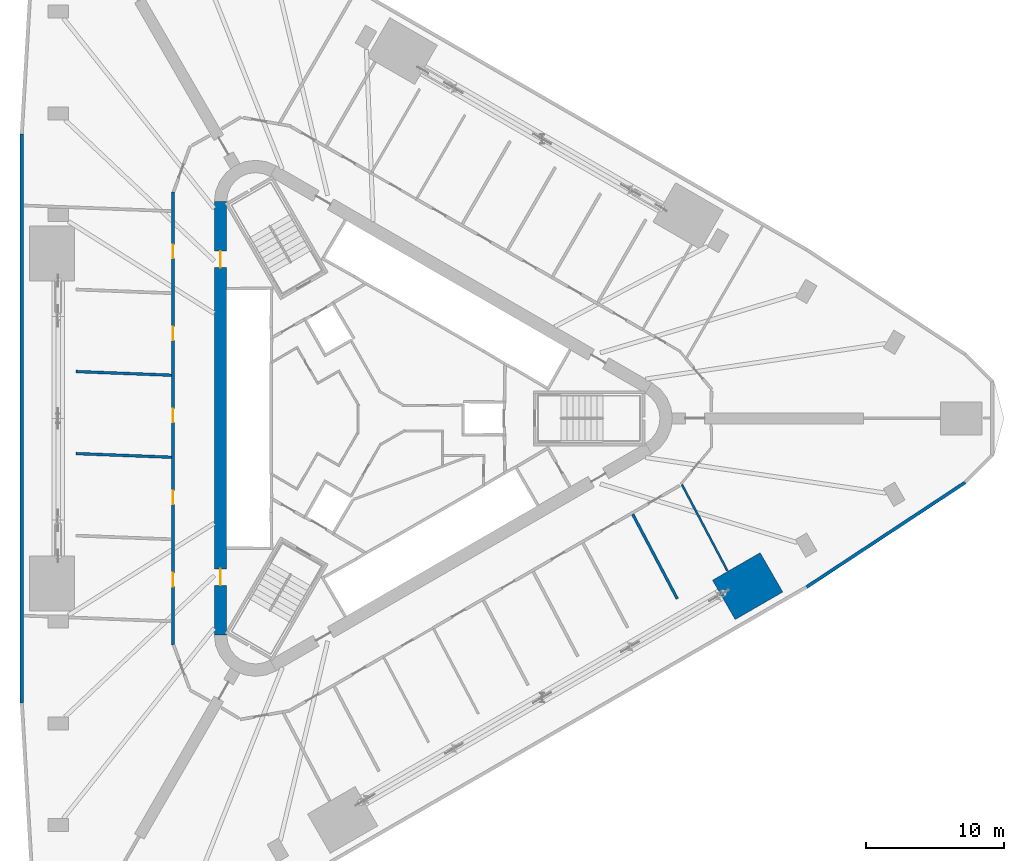
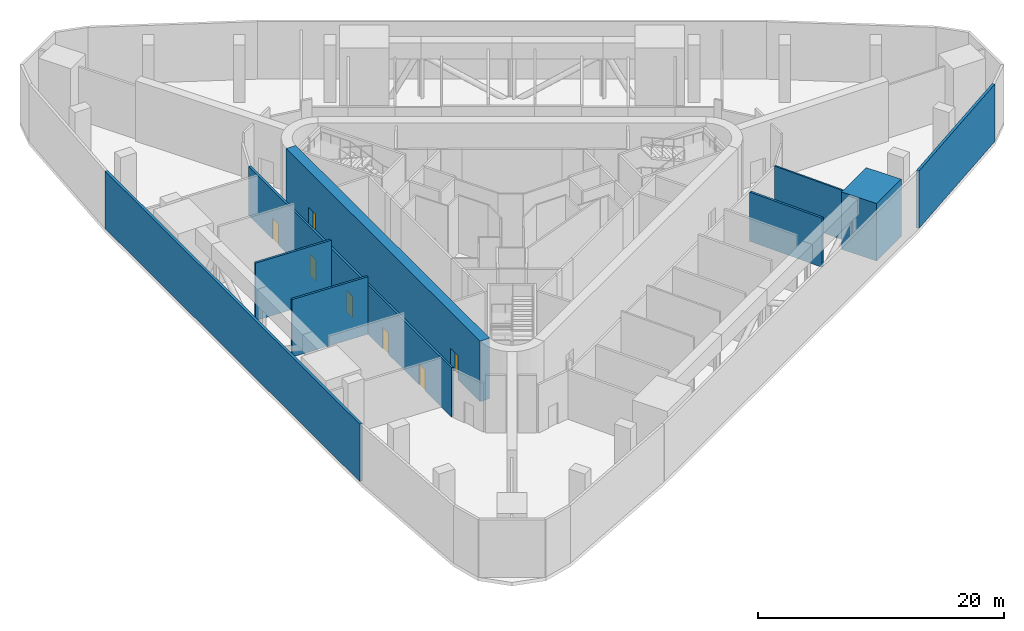
# One storey, part 7 of 14: 9 walls, 7 doors, 7 openings.
"""IFC4 building model written with IfcOpenShell, lengths in metres."""

from ifc_helpers import new_model, si_unit, direction, frame, frame_2d, origin, place, context, subcontext, project, spatial, polyline, rectangle, outline, extrude, material, layer, layer_set, type_object, element, fill, save


model = new_model("IFC4")

# Units and contexts
model_context = context("Model", 3, precision=1e-05, world=origin(), true_north=direction((0.0, 1.0)))
body_context = subcontext(model_context, "Body", "Model", "MODEL_VIEW")
ifc_project = project(units=[si_unit("LENGTHUNIT", "METRE"), si_unit("AREAUNIT", "SQUARE_METRE"), si_unit("VOLUMEUNIT", "CUBIC_METRE"), si_unit("PLANEANGLEUNIT", "RADIAN"), si_unit("MASSUNIT", "GRAM", prefix="KILO")], contexts=[model_context])

# Site, building, storey
site_placement = place(None, origin())
site = spatial("IfcSite", under=ifc_project, at=site_placement, CompositionType="ELEMENT")
building_placement = place(site_placement, origin())
building = spatial("IfcBuilding", under=site, at=building_placement, Name="Tanit Gate Tower", CompositionType="ELEMENT")
storey_placement = place(building_placement, frame((0.0, 0.0, 39.5)))
storey = spatial("IfcBuildingStorey", under=building, at=storey_placement, Name="L06", CompositionType="ELEMENT", Elevation=39.5)

# Wall, openings, doors
ifc_material_1 = material(Name="Concrete C60/75", Category="concrete")
ifc_layer_1 = layer(ifc_material_1, 0.89990234375)
ifc_layer_set_1 = layer_set([ifc_layer_1], Name="CORE WALL 900 C60/75")
wall_type_1 = type_object("IfcWallType", Name="CORE WALL 900 C60/75", PredefinedType="SHEAR", material=ifc_layer_set_1)
wall_1_placement = place(storey_placement, frame((-11.64990234375, 15.76171875, 0.0), z_axis=(0.0, 0.0, 1.0), x_axis=(0.0, -1.0, 0.0)))
wall_1 = element("IfcWall", 1, at=wall_1_placement, inside=storey, type_object=wall_type_1, Name="CORE WALL", PredefinedType="SHEAR", context=body_context, shape_type="SweptSolid", body=[
    extrude(rectangle(XDim=31.5234375, YDim=0.89990234375, at=frame_2d((15.76171875, 0.0))), origin(), (0.0, 0.0, 1.0), 6.0),
])
opening_1_placement = place(wall_1_placement, frame((3.61181640625, 0.0, 0.0)))
opening_1 = element("IfcOpeningElement", 2, at=opening_1_placement, cuts=wall_1, Name="Opening F12-06-FL2", PredefinedType="OPENING", context=body_context, shape_type="SweptSolid", body=[
    extrude(rectangle(XDim=1.199951171875, YDim=2.39990234375, at=frame_2d((0.60009765625, 1.199951171875))), frame((0.0, 0.4599609375, 0.0), z_axis=(0.0, -1.0, 0.0), x_axis=(1.0, 0.0, 0.0)), (0.0, 0.0, 1.0), 0.919921875),
])
opening_2_placement = place(wall_1_placement, frame((26.711669921875, 0.0, 0.0)))
opening_2 = element("IfcOpeningElement", 3, at=opening_2_placement, cuts=wall_1, Name="Opening F12-06-S3", PredefinedType="OPENING", context=body_context, shape_type="SweptSolid", body=[
    extrude(rectangle(XDim=1.199951171875, YDim=2.39990234375, at=frame_2d((0.60009765625, 1.199951171875))), frame((0.0, 0.4599609375, 0.0), z_axis=(0.0, -1.0, 0.0), x_axis=(1.0, 0.0, 0.0)), (0.0, 0.0, 1.0), 0.919921875),
])
ifc_material_2 = material(Name="Fire-rated steel door leaf", Category="steel")
door_type_1 = type_object("IfcDoorType", Name="INT-DOOR-FIRE-LOBBY-1200", OperationType="NOTDEFINED", PredefinedType="USERDEFINED", material=ifc_material_2)
door_1_placement = place(opening_1_placement, origin())
door_1 = element("IfcDoor", 4, at=door_1_placement, inside=storey, type_object=door_type_1, Name="Door F12-06-FL2", ObjectType="FIRE DOOR", OperationType="SINGLE_SWING_RIGHT", OverallHeight=2.39990234375, OverallWidth=1.199951171875, PredefinedType="USERDEFINED", context=body_context, shape_type="SweptSolid", body=[
    extrude(rectangle(XDim=1.199951171875, YDim=2.39990234375, at=frame_2d((0.60009765625, 1.199951171875))), frame((0.0, 0.02490234375, 0.0), z_axis=(0.0, -1.0, 0.0), x_axis=(1.0, 0.0, 0.0)), (0.0, 0.0, 1.0), 0.050048828125),
])
fill(opening_1, door_1)
door_2_placement = place(opening_2_placement, origin())
door_2 = element("IfcDoor", 5, at=door_2_placement, inside=storey, type_object=door_type_1, Name="Door F12-06-S3", ObjectType="FIRE DOOR", OperationType="SINGLE_SWING_LEFT", OverallHeight=2.39990234375, OverallWidth=1.199951171875, PredefinedType="USERDEFINED", context=body_context, shape_type="SweptSolid", body=[
    extrude(rectangle(XDim=1.199951171875, YDim=2.39990234375, at=frame_2d((0.60009765625, 1.199951171875))), frame((0.0, 0.02490234375, 0.0), z_axis=(0.0, -1.0, 0.0), x_axis=(1.0, 0.0, 0.0)), (0.0, 0.0, 1.0), 0.050048828125),
])
fill(opening_2, door_2)

# Walls
ifc_material_3 = material(Name="Concrete C30/37 with bronze anodised aluminium cladding", Category="concrete")
ifc_layer_2 = layer(ifc_material_3, 0.239990234375)
ifc_layer_set_2 = layer_set([ifc_layer_2], Name="Facade wall bronze clad 240")
wall_type_2 = type_object("IfcWallType", Name="Facade wall bronze clad 240", PredefinedType="SOLIDWALL", material=ifc_layer_set_2)
wall_2_placement = place(storey_placement, frame((-26.10986328125, 20.685302734375, 0.0), z_axis=(0.0, 0.0, 1.0), x_axis=(7.0815678e-05, -0.999999997493, 0.0)))
element("IfcWall", 6, at=wall_2_placement, inside=storey, type_object=wall_type_2, Name="Bronze-clad facade wall L06 W2", PredefinedType="SOLIDWALL", context=body_context, shape_type="SweptSolid", body=[
    extrude(rectangle(XDim=41.37060546875, YDim=0.239990234375, at=frame_2d((20.685302734375, 0.0))), origin(), (0.0, 0.0, 1.0), 5.699951171875),
])
wall_3_placement = place(storey_placement, frame((30.967529296875, -12.2666015625, 0.0), z_axis=(0.0, 0.0, 1.0), x_axis=(0.834683405501, 0.550730072342, 0.0)))
element("IfcWall", 7, at=wall_3_placement, inside=storey, type_object=wall_type_2, Name="Bronze-clad facade wall L06 SE3", PredefinedType="SOLIDWALL", context=body_context, shape_type="SweptSolid", body=[
    extrude(rectangle(XDim=13.80126953125, YDim=0.239990234375, at=frame_2d((6.900634765625, 0.0))), origin(), (0.0, 0.0, 1.0), 5.699951171875),
])

# Wall, openings, doors
ifc_material_4 = material(Name="Fire-rated gypsum board partition")
ifc_layer_3 = layer(ifc_material_4, 0.199951171875)
ifc_layer_set_3 = layer_set([ifc_layer_3], Name="INT-WALL-COMPARTMENT")
wall_type_3 = type_object("IfcWallType", Name="INT-WALL-COMPARTMENT", PredefinedType="PARTITIONING", material=ifc_layer_set_3)
wall_4_placement = place(storey_placement, frame((-15.10009765625, 16.469970703125, 0.0), z_axis=(0.0, 0.0, 1.0), x_axis=(0.0, -1.0, 0.0)))
wall_4 = element("IfcWall", 8, at=wall_4_placement, inside=storey, type_object=wall_type_3, Name="Wall Compartment W088", PredefinedType="PARTITIONING", context=body_context, shape_type="SweptSolid", body=[
    extrude(rectangle(XDim=32.93994140625, YDim=0.199951171875, at=frame_2d((16.469970703125, 0.0))), origin(), (0.0, 0.0, 1.0), 4.8798828125),
])
opening_3_placement = place(wall_4_placement, frame((3.83984375, 0.0, 0.0)))
opening_3 = element("IfcOpeningElement", 9, at=opening_3_placement, cuts=wall_4, Name="Opening F10-06-16", PredefinedType="OPENING", context=body_context, shape_type="SweptSolid", body=[
    extrude(rectangle(XDim=1.0, YDim=2.10009765625, at=frame_2d((0.5, 1.050048828125))), frame((0.0, 0.10986328125, 0.0), z_axis=(0.0, -1.0, 0.0), x_axis=(1.0, 0.0, 0.0)), (0.0, 0.0, 1.0), 0.219970703125),
])
opening_4_placement = place(wall_4_placement, frame((9.8046875, 0.0, 0.0)))
opening_4 = element("IfcOpeningElement", 10, at=opening_4_placement, cuts=wall_4, Name="Opening F10-06-17", PredefinedType="OPENING", context=body_context, shape_type="SweptSolid", body=[
    extrude(rectangle(XDim=1.0, YDim=2.10009765625, at=frame_2d((0.5, 1.050048828125))), frame((0.0, 0.10986328125, 0.0), z_axis=(0.0, -1.0, 0.0), x_axis=(1.0, 0.0, 0.0)), (0.0, 0.0, 1.0), 0.219970703125),
])
opening_5_placement = place(wall_4_placement, frame((15.769287109375, 0.0, 0.0)))
opening_5 = element("IfcOpeningElement", 11, at=opening_5_placement, cuts=wall_4, Name="Opening F10-06-18", PredefinedType="OPENING", context=body_context, shape_type="SweptSolid", body=[
    extrude(rectangle(XDim=1.0, YDim=2.10009765625, at=frame_2d((0.5, 1.050048828125))), frame((0.0, 0.10986328125, 0.0), z_axis=(0.0, -1.0, 0.0), x_axis=(1.0, 0.0, 0.0)), (0.0, 0.0, 1.0), 0.219970703125),
])
opening_6_placement = place(wall_4_placement, frame((21.734130859375, 0.0, 0.0)))
opening_6 = element("IfcOpeningElement", 12, at=opening_6_placement, cuts=wall_4, Name="Opening F10-06-19", PredefinedType="OPENING", context=body_context, shape_type="SweptSolid", body=[
    extrude(rectangle(XDim=1.0, YDim=2.10009765625, at=frame_2d((0.5, 1.050048828125))), frame((0.0, 0.10986328125, 0.0), z_axis=(0.0, -1.0, 0.0), x_axis=(1.0, 0.0, 0.0)), (0.0, 0.0, 1.0), 0.219970703125),
])
opening_7_placement = place(wall_4_placement, frame((27.698974609375, 0.0, 0.0)))
opening_7 = element("IfcOpeningElement", 13, at=opening_7_placement, cuts=wall_4, Name="Opening F10-06-20", PredefinedType="OPENING", context=body_context, shape_type="SweptSolid", body=[
    extrude(rectangle(XDim=1.0, YDim=2.10009765625, at=frame_2d((0.5, 1.050048828125))), frame((0.0, 0.10986328125, 0.0), z_axis=(0.0, -1.0, 0.0), x_axis=(1.0, 0.0, 0.0)), (0.0, 0.0, 1.0), 0.219970703125),
])
ifc_material_5 = material(Name="Fire-rated steel door leaf", Category="steel")
door_type_2 = type_object("IfcDoorType", Name="INT-DOOR-FIRE-1000", OperationType="NOTDEFINED", PredefinedType="USERDEFINED", material=ifc_material_5)
door_3_placement = place(opening_3_placement, origin())
door_3 = element("IfcDoor", 14, at=door_3_placement, inside=storey, type_object=door_type_2, Name="Door F10-06-16", ObjectType="FIRE DOOR", OperationType="SINGLE_SWING_LEFT", OverallHeight=2.10009765625, OverallWidth=1.0, PredefinedType="USERDEFINED", context=body_context, shape_type="SweptSolid", body=[
    extrude(rectangle(XDim=1.0, YDim=2.10009765625, at=frame_2d((0.5, 1.050048828125))), frame((0.0, 0.02490234375, 0.0), z_axis=(0.0, -1.0, 0.0), x_axis=(1.0, 0.0, 0.0)), (0.0, 0.0, 1.0), 0.050048828125),
])
fill(opening_3, door_3)
door_4_placement = place(opening_4_placement, origin())
door_4 = element("IfcDoor", 15, at=door_4_placement, inside=storey, type_object=door_type_2, Name="Door F10-06-17", ObjectType="FIRE DOOR", OperationType="SINGLE_SWING_RIGHT", OverallHeight=2.10009765625, OverallWidth=1.0, PredefinedType="USERDEFINED", context=body_context, shape_type="SweptSolid", body=[
    extrude(rectangle(XDim=1.0, YDim=2.10009765625, at=frame_2d((0.5, 1.050048828125))), frame((0.0, 0.02490234375, 0.0), z_axis=(0.0, -1.0, 0.0), x_axis=(1.0, 0.0, 0.0)), (0.0, 0.0, 1.0), 0.050048828125),
])
fill(opening_4, door_4)
door_5_placement = place(opening_5_placement, origin())
door_5 = element("IfcDoor", 16, at=door_5_placement, inside=storey, type_object=door_type_2, Name="Door F10-06-18", ObjectType="FIRE DOOR", OperationType="SINGLE_SWING_LEFT", OverallHeight=2.10009765625, OverallWidth=1.0, PredefinedType="USERDEFINED", context=body_context, shape_type="SweptSolid", body=[
    extrude(rectangle(XDim=1.0, YDim=2.10009765625, at=frame_2d((0.5, 1.050048828125))), frame((0.0, 0.02490234375, 0.0), z_axis=(0.0, -1.0, 0.0), x_axis=(1.0, 0.0, 0.0)), (0.0, 0.0, 1.0), 0.050048828125),
])
fill(opening_5, door_5)
door_6_placement = place(opening_6_placement, origin())
door_6 = element("IfcDoor", 17, at=door_6_placement, inside=storey, type_object=door_type_2, Name="Door F10-06-19", ObjectType="FIRE DOOR", OperationType="SINGLE_SWING_RIGHT", OverallHeight=2.10009765625, OverallWidth=1.0, PredefinedType="USERDEFINED", context=body_context, shape_type="SweptSolid", body=[
    extrude(rectangle(XDim=1.0, YDim=2.10009765625, at=frame_2d((0.5, 1.050048828125))), frame((0.0, 0.02490234375, 0.0), z_axis=(0.0, -1.0, 0.0), x_axis=(1.0, 0.0, 0.0)), (0.0, 0.0, 1.0), 0.050048828125),
])
fill(opening_6, door_6)
door_7_placement = place(opening_7_placement, origin())
door_7 = element("IfcDoor", 18, at=door_7_placement, inside=storey, type_object=door_type_2, Name="Door F10-06-20", ObjectType="FIRE DOOR", OperationType="SINGLE_SWING_RIGHT", OverallHeight=2.10009765625, OverallWidth=1.0, PredefinedType="USERDEFINED", context=body_context, shape_type="SweptSolid", body=[
    extrude(rectangle(XDim=1.0, YDim=2.10009765625, at=frame_2d((0.5, 1.050048828125))), frame((0.0, 0.02490234375, 0.0), z_axis=(0.0, -1.0, 0.0), x_axis=(1.0, 0.0, 0.0)), (0.0, 0.0, 1.0), 0.050048828125),
])
fill(opening_7, door_7)

# Walls
for number, where, z_axis, x_axis, name in (
    (19, (-22.1533203125, 3.400390625, 0.0), (0.0, 0.0, 1.0), (0.999263090898, -0.03838326679, 0.0), "Wall Compartment W103"),
    (20, (-15.199951171875, -2.83154296875, 0.0), (0.0, 0.0, 1.0), (-0.999263090898, 0.03838326679, 0.0), "Wall Compartment W104"),
):
    element("IfcWall", number, at=place(storey_placement, frame(where, z_axis=z_axis, x_axis=x_axis)), inside=storey, type_object=wall_type_3, Name=name, PredefinedType="PARTITIONING", context=body_context, shape_type="SweptSolid", body=[
        extrude(rectangle(XDim=6.95849609375, YDim=0.199951171875, at=frame_2d((3.479248046875, 0.0))), origin(), (0.0, 0.0, 1.0), 5.699951171875),
    ])
wall_5_placement = place(storey_placement, frame((18.317138671875, -6.97607421875, 0.0), z_axis=(0.0, 0.0, 1.0), x_axis=(0.4663926901, -0.884577785512, 0.0)))
element("IfcWall", 21, at=wall_5_placement, inside=storey, type_object=wall_type_3, Name="Wall Compartment W156", PredefinedType="PARTITIONING", context=body_context, shape_type="SweptSolid", body=[
    extrude(rectangle(XDim=6.95849609375, YDim=0.199951171875, at=frame_2d((3.479248046875, 0.0))), origin(), (0.0, 0.0, 1.0), 4.8798828125),
])
ifc_material_6 = material(Name="Fire-rated gypsum board partition")
ifc_layer_4 = layer(ifc_material_6, 0.14990234375)
ifc_layer_set_4 = layer_set([ifc_layer_4], Name="INT-WALL-RISER")
wall_type_4 = type_object("IfcWallType", Name="INT-WALL-RISER", PredefinedType="PLUMBINGWALL", material=ifc_layer_set_4)
wall_6_placement = place(storey_placement, frame((21.892333984375, -4.811279296875, 0.0), z_axis=(0.0, 0.0, 1.0), x_axis=(0.466418462384, -0.884564196623, 0.0)))
element("IfcWall", 22, at=wall_6_placement, inside=storey, type_object=wall_type_4, Name="Wall Riser W157", PredefinedType="PLUMBINGWALL", context=body_context, shape_type="SweptSolid", body=[
    extrude(rectangle(XDim=7.095703125, YDim=0.14990234375, at=frame_2d((3.5478515625, 0.0))), origin(), (0.0, 0.0, 1.0), 4.8798828125),
])
ifc_material_7 = material(Name="Concrete C60/75", Category="concrete")
ifc_layer_5 = layer(ifc_material_7, 4.0)
ifc_layer_set_5 = layer_set([ifc_layer_5], Name="PIER WALL 4000 C60/75")
wall_type_5 = type_object("IfcWallType", Name="PIER WALL 4000 C60/75", PredefinedType="SHEAR", material=ifc_layer_set_5)
wall_7_placement = place(storey_placement, origin())
element("IfcWall", 23, at=wall_7_placement, inside=storey, type_object=wall_type_5, Name="PIER WALL", PredefinedType="SHEAR", context=body_context, shape_type="SweptSolid", body=[
    extrude(outline(polyline([(25.76708984375, -14.6298828125), (29.231201171875, -12.6298828125), (27.581298828125, -9.77197265625), (24.1171875, -11.77197265625), (25.76708984375, -14.6298828125)])), origin(), (0.0, 0.0, 1.0), 5.699951171875),
])

save(model, "model.ifc")
